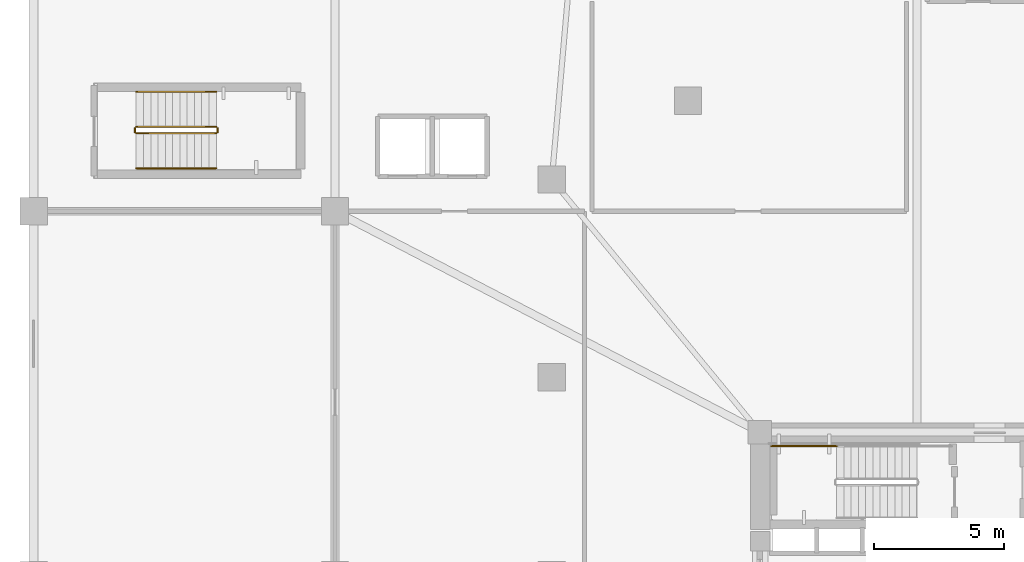
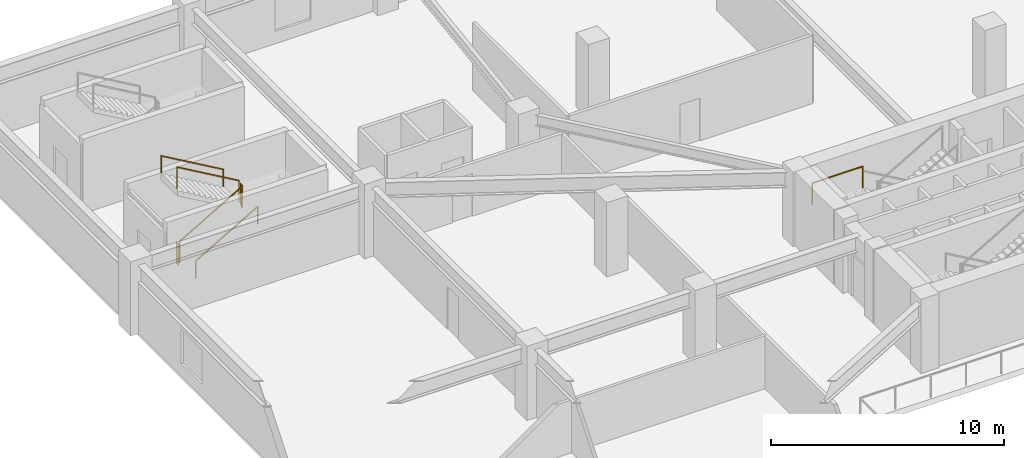
# One storey, part 11 of 15: 7 railings.
"""IFC4 building model written with IfcOpenShell, lengths in metres."""

from ifc_helpers import new_model, si_unit, direction, frame, origin, origin_2d, place, context, subcontext, project, spatial, rectangle, extrude, material, type_object, element, save


model = new_model("IFC4")

# Units and contexts
model_context = context("Model", 3, precision=1e-05, world=origin(), true_north=direction((0.0, 1.0)))
body_context = subcontext(model_context, "Body", "Model", "MODEL_VIEW")
ifc_project = project(units=[si_unit("LENGTHUNIT", "METRE"), si_unit("AREAUNIT", "SQUARE_METRE"), si_unit("VOLUMEUNIT", "CUBIC_METRE"), si_unit("PLANEANGLEUNIT", "RADIAN"), si_unit("MASSUNIT", "GRAM", prefix="KILO")], contexts=[model_context])

# Site, building, storey
site_placement = place(None, origin())
site = spatial("IfcSite", under=ifc_project, at=site_placement, CompositionType="ELEMENT")
building_placement = place(site_placement, origin())
building = spatial("IfcBuilding", under=site, at=building_placement, Name="Yunling Apex Tower", CompositionType="ELEMENT")
storey_placement = place(building_placement, frame((0.0, 0.0, 12.300048828125)))
storey = spatial("IfcBuildingStorey", under=building, at=storey_placement, Name="L04", CompositionType="ELEMENT", Elevation=12.300048828125)

# Railings
ifc_material_1 = material(Name="Steel Q355B", Category="steel")
railing_type_1 = type_object("IfcRailingType", Name="RL-GRD-1150", PredefinedType="GUARDRAIL", material=ifc_material_1)
railing_1_placement = place(storey_placement, frame((-3.090087890625, 4.9599609375, 1.949951171875)))
element("IfcRailing", 1, at=railing_1_placement, inside=storey, type_object=railing_type_1, Name="L04 ST-1 stair guard 3", PredefinedType="GUARDRAIL", context=body_context, shape_type="SweptSolid", body=[
    extrude(rectangle(XDim=0.0439453125, YDim=0.0439453125, at=origin_2d()), origin(), (0.0, 0.0, 1.0), 1.14990234375),
    extrude(rectangle(XDim=0.0439453125, YDim=0.0439453125, at=origin_2d()), frame((-2.510009765625, 0.0, 0.0)), (0.0, 0.0, 1.0), 1.14990234375),
    extrude(rectangle(XDim=0.050048828125, YDim=0.050048828125, at=origin_2d()), frame((-0.038330078125, 0.0, 1.125), z_axis=(-1.0, 0.0, 0.0), x_axis=(0.0, -1.0, 0.0)), (0.0, 0.0, 1.0), 2.433349609375),
])
railing_2_placement = place(storey_placement, frame((-30.050048828125, 17.0, 0.162353515625)))
element("IfcRailing", 2, at=railing_2_placement, inside=storey, type_object=railing_type_1, Name="L04 ST-P1 stair guard 1", PredefinedType="GUARDRAIL", context=body_context, shape_type="SweptSolid", body=[
    extrude(rectangle(XDim=0.0439453125, YDim=0.0439453125, at=origin_2d()), origin(), (0.0, 0.0, 1.0), 1.14990234375),
    extrude(rectangle(XDim=0.0439453125, YDim=0.0439453125, at=origin_2d()), frame((3.080078125, 0.0, 1.78759765625)), (0.0, 0.0, 1.0), 1.14990234375),
    extrude(rectangle(XDim=0.050048828125, YDim=0.050048828125, at=origin_2d()), frame((0.033203125, 0.0, 1.14404296875), z_axis=(0.864890721111, 0.0, 0.501960198159), x_axis=(0.0, 1.0, 0.0)), (0.0, 0.0, 1.0), 3.484619140625),
])
railing_3_placement = place(storey_placement, frame((-26.919921875, 17.050048828125, 1.949951171875)))
element("IfcRailing", 3, at=railing_3_placement, inside=storey, type_object=railing_type_1, Name="L04 ST-P1 stair guard 2", PredefinedType="GUARDRAIL", context=body_context, shape_type="SweptSolid", body=[
    extrude(rectangle(XDim=0.0439453125, YDim=0.0439453125, at=origin_2d()), origin(), (0.0, 0.0, 1.0), 1.14990234375),
    extrude(rectangle(XDim=0.0439453125, YDim=0.0439453125, at=origin_2d()), frame((0.0, 0.14990234375, 0.0)), (0.0, 0.0, 1.0), 1.14990234375),
    extrude(rectangle(XDim=0.050048828125, YDim=0.050048828125, at=origin_2d()), frame((0.0, 0.038330078125, 1.125), z_axis=(0.0, 1.0, 0.0), x_axis=(-1.0, 0.0, 0.0)), (0.0, 0.0, 1.0), 0.0732421875),
])
railing_4_placement = place(storey_placement, frame((-26.969970703125, 17.25, 2.112548828125)))
element("IfcRailing", 4, at=railing_4_placement, inside=storey, type_object=railing_type_1, Name="L04 ST-P1 stair guard 3", PredefinedType="GUARDRAIL", context=body_context, shape_type="SweptSolid", body=[
    extrude(rectangle(XDim=0.0439453125, YDim=0.0439453125, at=origin_2d()), origin(), (0.0, 0.0, 1.0), 1.14990234375),
    extrude(rectangle(XDim=0.0439453125, YDim=0.0439453125, at=origin_2d()), frame((-3.080078125, 0.0, 1.787353515625)), (0.0, 0.0, 1.0), 1.14990234375),
    extrude(rectangle(XDim=0.050048828125, YDim=0.050048828125, at=origin_2d()), frame((-0.033203125, 0.0, 1.14404296875), z_axis=(-0.864920483161, 0.0, 0.501908913857), x_axis=(0.0, -1.0, 0.0)), (0.0, 0.0, 1.0), 3.484375),
])
railing_5_placement = place(storey_placement, frame((-30.10009765625, 17.050048828125, 0.0)))
element("IfcRailing", 5, at=railing_5_placement, inside=storey, type_object=railing_type_1, Name="L04 ST-P1 stair guard 4", PredefinedType="GUARDRAIL", context=body_context, shape_type="SweptSolid", body=[
    extrude(rectangle(XDim=0.0439453125, YDim=0.0439453125, at=origin_2d()), origin(), (0.0, 0.0, 1.0), 1.14990234375),
    extrude(rectangle(XDim=0.0439453125, YDim=0.0439453125, at=origin_2d()), frame((0.0, 0.14990234375, 0.0)), (0.0, 0.0, 1.0), 1.14990234375),
    extrude(rectangle(XDim=0.050048828125, YDim=0.050048828125, at=origin_2d()), frame((0.0, 0.038330078125, 1.125), z_axis=(0.0, 1.0, 0.0), x_axis=(-1.0, 0.0, 0.0)), (0.0, 0.0, 1.0), 0.0732421875),
])
ifc_material_2 = material(Name="Silver anodised aluminium", Category="aluminium")
railing_type_2 = type_object("IfcRailingType", Name="RL-HND-900", PredefinedType="HANDRAIL", material=ifc_material_2)
railing_6_placement = place(storey_placement, frame((-30.050048828125, 15.64990234375, 0.162353515625)))
element("IfcRailing", 6, at=railing_6_placement, inside=storey, type_object=railing_type_2, Name="L04 ST-P1 stair handrail 1", PredefinedType="HANDRAIL", context=body_context, shape_type="SweptSolid", body=[
    extrude(rectangle(XDim=0.0439453125, YDim=0.0439453125, at=origin_2d()), origin(), (0.0, 0.0, 1.0), 0.919921875),
    extrude(rectangle(XDim=0.0439453125, YDim=0.0439453125, at=origin_2d()), frame((3.080078125, 0.0, 1.78759765625)), (0.0, 0.0, 1.0), 0.919921875),
    extrude(rectangle(XDim=0.050048828125, YDim=0.050048828125, at=origin_2d()), frame((0.033203125, 0.0, 0.9140625), z_axis=(0.864890721111, 0.0, 0.501960198159), x_axis=(0.0, 1.0, 0.0)), (0.0, 0.0, 1.0), 3.484619140625),
])
railing_7_placement = place(storey_placement, frame((-26.969970703125, 18.60009765625, 2.112548828125)))
element("IfcRailing", 7, at=railing_7_placement, inside=storey, type_object=railing_type_2, Name="L04 ST-P1 stair handrail 2", PredefinedType="HANDRAIL", context=body_context, shape_type="SweptSolid", body=[
    extrude(rectangle(XDim=0.0439453125, YDim=0.0439453125, at=origin_2d()), origin(), (0.0, 0.0, 1.0), 0.919921875),
    extrude(rectangle(XDim=0.0439453125, YDim=0.0439453125, at=origin_2d()), frame((-3.080078125, 0.0, 1.787353515625)), (0.0, 0.0, 1.0), 0.919921875),
    extrude(rectangle(XDim=0.050048828125, YDim=0.050048828125, at=origin_2d()), frame((-0.033203125, 0.0, 0.9140625), z_axis=(-0.864920483161, 0.0, 0.501908913857), x_axis=(0.0, -1.0, 0.0)), (0.0, 0.0, 1.0), 3.484375),
])

save(model, "model.ifc")
